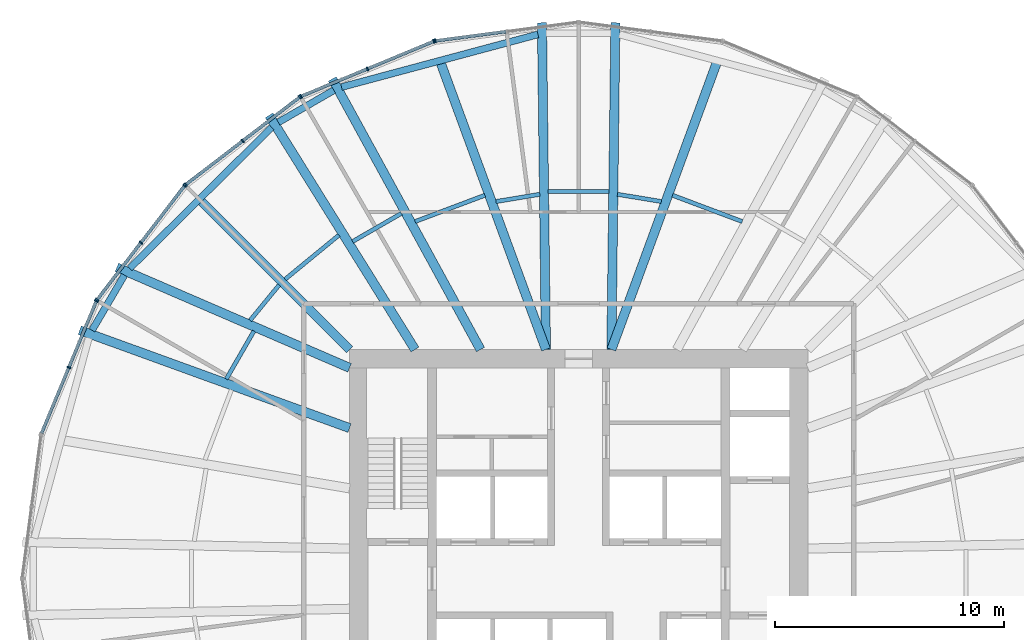
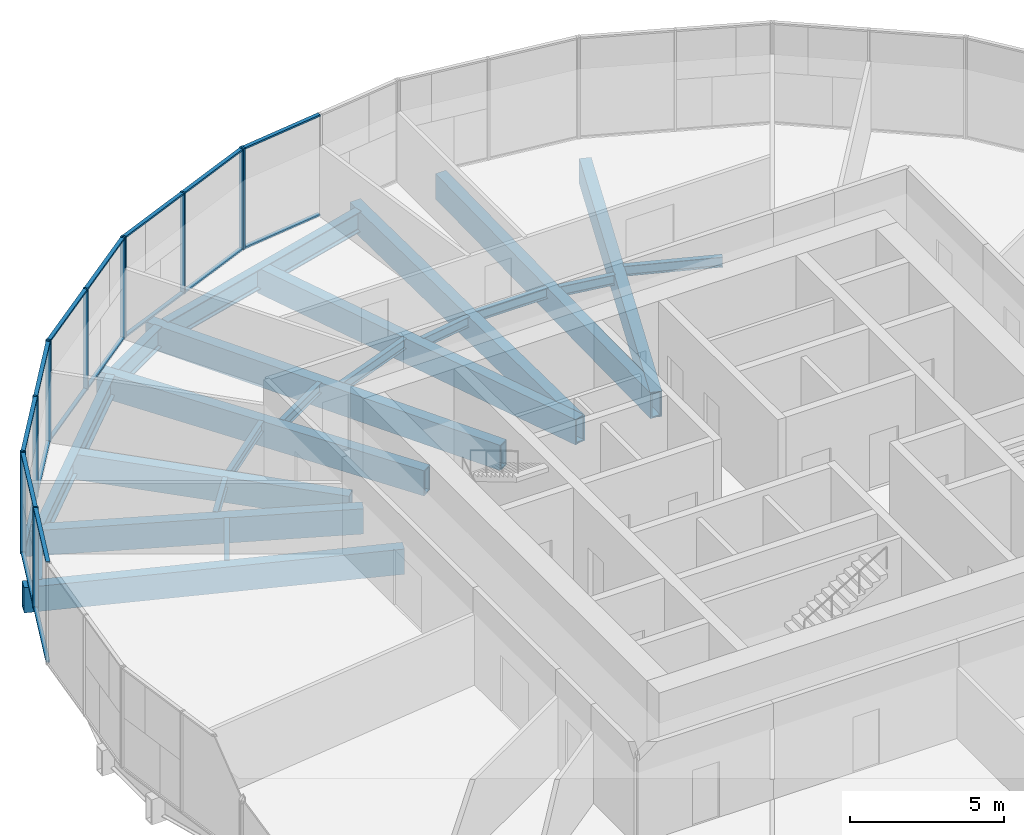
# One storey, part 6 of 13: 30 members, 22 beams, 5 elements without a shape of their own.
"""IFC4 building model written with IfcOpenShell, lengths in metres."""

from ifc_helpers import new_model, si_unit, direction, frame, origin, origin_2d, place, context, subcontext, project, spatial, rectangle, hollow_rectangle, i_section, extrude, material, material_profile, profile_set, type_object, element, aggregate, save


model = new_model("IFC4")

# Units and contexts
model_context = context("Model", 3, precision=1e-05, world=origin(), true_north=direction((0.0, 1.0)))
body_context = subcontext(model_context, "Body", "Model", "MODEL_VIEW")
ifc_project = project(units=[si_unit("LENGTHUNIT", "METRE"), si_unit("AREAUNIT", "SQUARE_METRE"), si_unit("VOLUMEUNIT", "CUBIC_METRE"), si_unit("PLANEANGLEUNIT", "RADIAN"), si_unit("MASSUNIT", "GRAM", prefix="KILO")], contexts=[model_context])

# Site, building, storey
site_placement = place(None, origin())
site = spatial("IfcSite", under=ifc_project, at=site_placement, CompositionType="ELEMENT")
building_placement = place(site_placement, origin())
building = spatial("IfcBuilding", under=site, at=building_placement, Name="Golbaran Civic Tower", CompositionType="ELEMENT")
storey_placement = place(building_placement, frame((0.0, 0.0, 81.0)))
storey = spatial("IfcBuildingStorey", under=building, at=storey_placement, Name="L19", CompositionType="ELEMENT", Elevation=81.0)

# Beams
ifc_material_1 = material(Name="Steel S355", Category="steel")
ifc_material_profile_1 = material_profile(ifc_material_1, i_section(OverallWidth=0.300048828125, OverallDepth=0.800048828125, WebThickness=0.017578125, FlangeThickness=0.032958984375, FilletRadius=0.030029296875, at=origin_2d()), Name="HEB 800")
ifc_profile_set_1 = profile_set([ifc_material_profile_1], Name="Steel S355")
beam_type_1 = type_object("IfcBeamType", Name="EDGE BEAM HEB 800", PredefinedType="BEAM", material=ifc_profile_set_1)
beam_1_placement = place(storey_placement, frame((-1.7763671875, 23.75048828125, -0.60009765625), z_axis=(-0.965861810463, -0.259057837344, 0.0), x_axis=(0.259057837344, -0.965861810463, 0.0)))
element("IfcBeam", 1, at=beam_1_placement, inside=storey, type_object=beam_type_1, Name="Edge beam 93.70 L19", PredefinedType="BEAM", context=body_context, shape_type="SweptSolid", body=[
    extrude(i_section(OverallWidth=0.300048828125, OverallDepth=0.800048828125, WebThickness=0.017578125, FlangeThickness=0.032958984375, FilletRadius=0.030029296875, at=origin_2d()), origin(), (0.0, 0.0, 1.0), 8.874755859375),
])
beam_2_placement = place(storey_placement, frame((-10.68310546875, 21.3134765625, -0.60009765625), z_axis=(-0.866130378223, -0.499818134844, 0.0), x_axis=(0.499818134844, -0.866130378223, 0.0)))
element("IfcBeam", 2, at=beam_2_placement, inside=storey, type_object=beam_type_1, Name="Edge beam 116.30 L19", PredefinedType="BEAM", context=body_context, shape_type="SweptSolid", body=[
    extrude(i_section(OverallWidth=0.300048828125, OverallDepth=0.800048828125, WebThickness=0.017578125, FlangeThickness=0.032958984375, FilletRadius=0.030029296875, at=origin_2d()), origin(), (0.0, 0.0, 1.0), 2.7978515625),
])
beam_3_placement = place(storey_placement, frame((-13.3935546875, 19.695068359375, -0.60009765625), z_axis=(-0.70960352002, -0.704601195269, 0.0), x_axis=(0.704601195269, -0.70960352002, 0.0)))
element("IfcBeam", 3, at=beam_3_placement, inside=storey, type_object=beam_type_1, Name="Edge beam 123.70 L19", PredefinedType="BEAM", context=body_context, shape_type="SweptSolid", body=[
    extrude(i_section(OverallWidth=0.300048828125, OverallDepth=0.800048828125, WebThickness=0.017578125, FlangeThickness=0.032958984375, FilletRadius=0.030029296875, at=origin_2d()), origin(), (0.0, 0.0, 1.0), 8.736083984375),
])
beam_4_placement = place(storey_placement, frame((-19.822021484375, 13.24658203125, -0.60009765625), z_axis=(-0.505995527103, -0.862536101593, 0.0), x_axis=(0.862536101593, -0.505995527103, 0.0)))
element("IfcBeam", 4, at=beam_4_placement, inside=storey, type_object=beam_type_1, Name="Edge beam 146.30 L19", PredefinedType="BEAM", context=body_context, shape_type="SweptSolid", body=[
    extrude(i_section(OverallWidth=0.300048828125, OverallDepth=0.800048828125, WebThickness=0.017578125, FlangeThickness=0.032958984375, FilletRadius=0.030029296875, at=origin_2d()), origin(), (0.0, 0.0, 1.0), 2.791748046875),
])
ifc_material_profile_2 = material_profile(ifc_material_1, i_section(OverallWidth=0.179931640625, OverallDepth=0.39990234375, WebThickness=0.008544921875, FlangeThickness=0.013427734375, FilletRadius=0.02099609375, at=origin_2d()), Name="IPE 400")
ifc_profile_set_2 = profile_set([ifc_material_profile_2], Name="Steel S355")
beam_type_2 = type_object("IfcBeamType", Name="FLOOR INFILL BEAM IPE 400", PredefinedType="BEAM", material=ifc_profile_set_2)
beam_5_placement = place(storey_placement, frame((7.136962890625, 15.58447265625, -0.39990234375), z_axis=(-0.935751282386, 0.352660654897, 0.0), x_axis=(-0.352660654897, -0.935751282386, 0.0)))
element("IfcBeam", 5, at=beam_5_placement, inside=storey, type_object=beam_type_2, Name="Infill beam 69.35 L19", PredefinedType="BEAM", context=body_context, shape_type="SweptSolid", body=[
    extrude(i_section(OverallWidth=0.179931640625, OverallDepth=0.39990234375, WebThickness=0.008544921875, FlangeThickness=0.013427734375, FilletRadius=0.02099609375, at=origin_2d()), origin(), (0.0, 0.0, 1.0), 3.253662109375),
])
beam_6_placement = place(storey_placement, frame((3.60791015625, 16.457275390625, -0.39990234375), z_axis=(-0.986728144037, 0.162380940275, 0.0), x_axis=(-0.162380940275, -0.986728144037, 0.0)))
element("IfcBeam", 6, at=beam_6_placement, inside=storey, type_object=beam_type_2, Name="Infill beam 80.65 L19", PredefinedType="BEAM", context=body_context, shape_type="SweptSolid", body=[
    extrude(i_section(OverallWidth=0.179931640625, OverallDepth=0.39990234375, WebThickness=0.008544921875, FlangeThickness=0.013427734375, FilletRadius=0.02099609375, at=origin_2d()), origin(), (0.0, 0.0, 1.0), 1.942626953125),
])
beam_7_placement = place(storey_placement, frame((1.332763671875, 16.8994140625, -0.39990234375), z_axis=(-1.0, 0.0, 0.0), x_axis=(0.0, -1.0, 0.0)))
element("IfcBeam", 7, at=beam_7_placement, inside=storey, type_object=beam_type_2, Name="Infill beam 90.00 L19", PredefinedType="BEAM", context=body_context, shape_type="SweptSolid", body=[
    extrude(i_section(OverallWidth=0.179931640625, OverallDepth=0.39990234375, WebThickness=0.008544921875, FlangeThickness=0.013427734375, FilletRadius=0.02099609375, at=origin_2d()), origin(), (0.0, 0.0, 1.0), 2.66552734375),
])
beam_8_placement = place(storey_placement, frame((-1.691162109375, 16.772705078125, -0.39990234375), z_axis=(-0.986728144037, -0.162380940275, 0.0), x_axis=(0.162380940275, -0.986728144037, 0.0)))
element("IfcBeam", 8, at=beam_8_placement, inside=storey, type_object=beam_type_2, Name="Infill beam 99.35 L19", PredefinedType="BEAM", context=body_context, shape_type="SweptSolid", body=[
    extrude(i_section(OverallWidth=0.179931640625, OverallDepth=0.39990234375, WebThickness=0.008544921875, FlangeThickness=0.013427734375, FilletRadius=0.02099609375, at=origin_2d()), origin(), (0.0, 0.0, 1.0), 1.942626953125),
])
beam_9_placement = place(storey_placement, frame((-4.09228515625, 16.73193359375, -0.39990234375), z_axis=(-0.935751282386, -0.352660654897, 0.0), x_axis=(0.352660654897, -0.935751282386, 0.0)))
element("IfcBeam", 9, at=beam_9_placement, inside=storey, type_object=beam_type_2, Name="Infill beam 110.65 L19", PredefinedType="BEAM", context=body_context, shape_type="SweptSolid", body=[
    extrude(i_section(OverallWidth=0.179931640625, OverallDepth=0.39990234375, WebThickness=0.008544921875, FlangeThickness=0.013427734375, FilletRadius=0.02099609375, at=origin_2d()), origin(), (0.0, 0.0, 1.0), 3.253662109375),
])
beam_10_placement = place(storey_placement, frame((-7.740966796875, 15.938232421875, -0.39990234375), z_axis=(-0.866029801145, -0.49999238347, 0.0), x_axis=(0.49999238347, -0.866029801145, 0.0)))
element("IfcBeam", 10, at=beam_10_placement, inside=storey, type_object=beam_type_2, Name="Infill beam 120.00 L19", PredefinedType="BEAM", context=body_context, shape_type="SweptSolid", body=[
    extrude(i_section(OverallWidth=0.179931640625, OverallDepth=0.39990234375, WebThickness=0.008544921875, FlangeThickness=0.013427734375, FilletRadius=0.02099609375, at=origin_2d()), origin(), (0.0, 0.0, 1.0), 2.453125),
])
beam_11_placement = place(storey_placement, frame((-10.462646484375, 14.98974609375, -0.39990234375), z_axis=(-0.773311950951, -0.634025730169, 0.0), x_axis=(0.634025730169, -0.773311950951, 0.0)))
element("IfcBeam", 11, at=beam_11_placement, inside=storey, type_object=beam_type_2, Name="Infill beam 129.35 L19", PredefinedType="BEAM", context=body_context, shape_type="SweptSolid", body=[
    extrude(i_section(OverallWidth=0.179931640625, OverallDepth=0.39990234375, WebThickness=0.008544921875, FlangeThickness=0.013427734375, FilletRadius=0.02099609375, at=origin_2d()), origin(), (0.0, 0.0, 1.0), 3.035888671875),
])
beam_12_placement = place(storey_placement, frame((-13.07080078125, 12.816162109375, -0.39990234375), z_axis=(-0.634002188449, -0.77333125182, 0.0), x_axis=(0.77333125182, -0.634002188449, 0.0)))
element("IfcBeam", 12, at=beam_12_placement, inside=storey, type_object=beam_type_2, Name="Infill beam 140.65 L19", PredefinedType="BEAM", context=body_context, shape_type="SweptSolid", body=[
    extrude(i_section(OverallWidth=0.179931640625, OverallDepth=0.39990234375, WebThickness=0.008544921875, FlangeThickness=0.013427734375, FilletRadius=0.02099609375, at=origin_2d()), origin(), (0.0, 0.0, 1.0), 1.999267578125),
])
beam_13_placement = place(storey_placement, frame((-14.169677734375, 10.804931640625, -0.39990234375), z_axis=(-0.500031663174, -0.866007122271, 0.0), x_axis=(0.866007122271, -0.500031663174, 0.0)))
element("IfcBeam", 13, at=beam_13_placement, inside=storey, type_object=beam_type_2, Name="Infill beam 150.00 L19", PredefinedType="BEAM", context=body_context, shape_type="SweptSolid", body=[
    extrude(i_section(OverallWidth=0.179931640625, OverallDepth=0.39990234375, WebThickness=0.008544921875, FlangeThickness=0.013427734375, FilletRadius=0.02099609375, at=origin_2d()), origin(), (0.0, 0.0, 1.0), 2.414794921875),
])

# Curtain wall, member
ifc_material_2 = material(Name="Aluminium and glass", Category="aluminium")
curtain_wall_type = type_object("IfcCurtainWallType", Name="INNER SKIN CURTAIN WALL", PredefinedType="NOTDEFINED", material=ifc_material_2)
curtain_wall_1_placement = place(storey_placement, origin())
curtain_wall_1 = element("IfcCurtainWall", 14, at=curtain_wall_1_placement, inside=storey, type_object=curtain_wall_type, Name="Inner skin L19 facet 7 CW1", ObjectType="INNER SKIN", PredefinedType="USERDEFINED")
ifc_material_3 = material(Name="Aluminium", Category="aluminium")
ifc_material_profile_3 = material_profile(ifc_material_3, rectangle(XDim=0.179931640625, YDim=0.06494140625, at=origin_2d()), Name="INNER SKIN CURTAIN WALL MULLION")
ifc_profile_set_3 = profile_set([ifc_material_profile_3], Name="Aluminium")
member_type_1 = type_object("IfcMemberType", Name="INNER SKIN CURTAIN WALL MULLION", PredefinedType="MULLION", material=ifc_profile_set_3)
member_1_placement = place(storey_placement, frame((-6.25439453125, 23.466552734375, 0.0), z_axis=(0.0, 0.0, 1.0), x_axis=(0.130526192151, -0.991444861383, 0.0)))
member_1 = element("IfcMember", 15, at=member_1_placement, type_object=member_type_1, Name="CW1 mullion 3", PredefinedType="MULLION", context=body_context, shape_type="SweptSolid", body=[
    extrude(rectangle(XDim=0.179931640625, YDim=0.06494140625, at=origin_2d()), origin(), (0.0, 0.0, 1.0), 4.0),
])

# Curtain wall, members
curtain_wall_2_placement = place(storey_placement, origin())
curtain_wall_2 = element("IfcCurtainWall", 16, at=curtain_wall_2_placement, inside=storey, type_object=curtain_wall_type, Name="Inner skin L19 facet 8 CW1", ObjectType="INNER SKIN", PredefinedType="USERDEFINED")
member_2_placement = place(storey_placement, frame((-6.316650390625, 23.449951171875, 0.0), z_axis=(0.0, 0.0, 1.0), x_axis=(0.382683432446, -0.923879532478, 0.0)))
member_2 = element("IfcMember", 17, at=member_2_placement, type_object=member_type_1, Name="CW1 mullion 1", PredefinedType="MULLION", context=body_context, shape_type="SweptSolid", body=[
    extrude(rectangle(XDim=0.179931640625, YDim=0.06494140625, at=origin_2d()), origin(), (0.0, 0.0, 1.0), 4.0),
])
member_3_placement = place(storey_placement, frame((-9.2158203125, 22.2490234375, 0.0), z_axis=(0.0, 0.0, 1.0), x_axis=(0.382683432446, -0.923879532478, 0.0)))
member_3 = element("IfcMember", 18, at=member_3_placement, type_object=member_type_1, Name="CW1 mullion 2", PredefinedType="MULLION", context=body_context, shape_type="SweptSolid", body=[
    extrude(rectangle(XDim=0.179931640625, YDim=0.06494140625, at=origin_2d()), origin(), (0.0, 0.0, 1.0), 4.0),
])
member_4_placement = place(storey_placement, frame((-12.114990234375, 21.048095703125, 0.0), z_axis=(0.0, 0.0, 1.0), x_axis=(0.382683432446, -0.923879532478, 0.0)))
member_4 = element("IfcMember", 19, at=member_4_placement, type_object=member_type_1, Name="CW1 mullion 3", PredefinedType="MULLION", context=body_context, shape_type="SweptSolid", body=[
    extrude(rectangle(XDim=0.179931640625, YDim=0.06494140625, at=origin_2d()), origin(), (0.0, 0.0, 1.0), 4.0),
])

curtain_wall_3_placement = place(storey_placement, origin())
curtain_wall_3 = element("IfcCurtainWall", 20, at=curtain_wall_3_placement, inside=storey, type_object=curtain_wall_type, Name="Inner skin L19 facet 9 CW1", ObjectType="INNER SKIN", PredefinedType="USERDEFINED")
member_5_placement = place(storey_placement, frame((-12.1708984375, 21.015869140625, 0.0), z_axis=(0.0, 0.0, 1.0), x_axis=(0.608761429023, -0.793353340281, 0.0)))
member_5 = element("IfcMember", 21, at=member_5_placement, type_object=member_type_1, Name="CW1 mullion 1", PredefinedType="MULLION", context=body_context, shape_type="SweptSolid", body=[
    extrude(rectangle(XDim=0.179931640625, YDim=0.06494140625, at=origin_2d()), origin(), (0.0, 0.0, 1.0), 4.0),
])
member_6_placement = place(storey_placement, frame((-14.660400390625, 19.105712890625, 0.0), z_axis=(0.0, 0.0, 1.0), x_axis=(0.608761429023, -0.793353340281, 0.0)))
member_6 = element("IfcMember", 22, at=member_6_placement, type_object=member_type_1, Name="CW1 mullion 2", PredefinedType="MULLION", context=body_context, shape_type="SweptSolid", body=[
    extrude(rectangle(XDim=0.179931640625, YDim=0.06494140625, at=origin_2d()), origin(), (0.0, 0.0, 1.0), 4.0),
])
member_7_placement = place(storey_placement, frame((-17.14990234375, 17.1953125, 0.0), z_axis=(0.0, 0.0, 1.0), x_axis=(0.608761429023, -0.793353340281, 0.0)))
member_7 = element("IfcMember", 23, at=member_7_placement, type_object=member_type_1, Name="CW1 mullion 3", PredefinedType="MULLION", context=body_context, shape_type="SweptSolid", body=[
    extrude(rectangle(XDim=0.179931640625, YDim=0.06494140625, at=origin_2d()), origin(), (0.0, 0.0, 1.0), 4.0),
])

curtain_wall_4_placement = place(storey_placement, origin())
curtain_wall_4 = element("IfcCurtainWall", 24, at=curtain_wall_4_placement, inside=storey, type_object=curtain_wall_type, Name="Inner skin L19 facet 10 CW1", ObjectType="INNER SKIN", PredefinedType="USERDEFINED")
member_8_placement = place(storey_placement, frame((-17.1953125, 17.14990234375, 0.0), z_axis=(0.0, 0.0, 1.0), x_axis=(0.793353340281, -0.608761429023, 0.0)))
member_8 = element("IfcMember", 25, at=member_8_placement, type_object=member_type_1, Name="CW1 mullion 1", PredefinedType="MULLION", context=body_context, shape_type="SweptSolid", body=[
    extrude(rectangle(XDim=0.179931640625, YDim=0.06494140625, at=origin_2d()), origin(), (0.0, 0.0, 1.0), 4.0),
])
member_9_placement = place(storey_placement, frame((-19.105712890625, 14.660400390625, 0.0), z_axis=(0.0, 0.0, 1.0), x_axis=(0.793353340281, -0.608761429023, 0.0)))
member_9 = element("IfcMember", 26, at=member_9_placement, type_object=member_type_1, Name="CW1 mullion 2", PredefinedType="MULLION", context=body_context, shape_type="SweptSolid", body=[
    extrude(rectangle(XDim=0.179931640625, YDim=0.06494140625, at=origin_2d()), origin(), (0.0, 0.0, 1.0), 4.0),
])
member_10_placement = place(storey_placement, frame((-21.015869140625, 12.1708984375, 0.0), z_axis=(0.0, 0.0, 1.0), x_axis=(0.793353340281, -0.608761429023, 0.0)))
member_10 = element("IfcMember", 27, at=member_10_placement, type_object=member_type_1, Name="CW1 mullion 3", PredefinedType="MULLION", context=body_context, shape_type="SweptSolid", body=[
    extrude(rectangle(XDim=0.179931640625, YDim=0.06494140625, at=origin_2d()), origin(), (0.0, 0.0, 1.0), 4.0),
])

curtain_wall_5_placement = place(storey_placement, origin())
curtain_wall_5 = element("IfcCurtainWall", 28, at=curtain_wall_5_placement, inside=storey, type_object=curtain_wall_type, Name="Inner skin L19 facet 11 CW1", ObjectType="INNER SKIN", PredefinedType="USERDEFINED")
member_11_placement = place(storey_placement, frame((-21.048095703125, 12.114990234375, 0.0), z_axis=(0.0, 0.0, 1.0), x_axis=(0.923879532478, -0.382683432446, 0.0)))
member_11 = element("IfcMember", 29, at=member_11_placement, type_object=member_type_1, Name="CW1 mullion 1", PredefinedType="MULLION", context=body_context, shape_type="SweptSolid", body=[
    extrude(rectangle(XDim=0.179931640625, YDim=0.06494140625, at=origin_2d()), origin(), (0.0, 0.0, 1.0), 4.0),
])
member_12_placement = place(storey_placement, frame((-22.2490234375, 9.2158203125, 0.0), z_axis=(0.0, 0.0, 1.0), x_axis=(0.923879532478, -0.382683432446, 0.0)))
member_12 = element("IfcMember", 30, at=member_12_placement, type_object=member_type_1, Name="CW1 mullion 2", PredefinedType="MULLION", context=body_context, shape_type="SweptSolid", body=[
    extrude(rectangle(XDim=0.179931640625, YDim=0.06494140625, at=origin_2d()), origin(), (0.0, 0.0, 1.0), 4.0),
])

# Member
ifc_material_profile_4 = material_profile(ifc_material_3, rectangle(XDim=0.139892578125, YDim=0.06494140625, at=origin_2d()), Name="INNER SKIN CURTAIN WALL TRANSOM")
ifc_profile_set_4 = profile_set([ifc_material_profile_4], Name="Aluminium")
member_type_2 = type_object("IfcMemberType", Name="INNER SKIN CURTAIN WALL TRANSOM", PredefinedType="USERDEFINED", material=ifc_profile_set_4)
member_13_placement = place(storey_placement, frame((-3.175537109375, 23.871826171875, 0.032470703125), z_axis=(-0.991443745979, -0.130534664207, 0.0), x_axis=(0.130534664207, -0.991443745979, 0.0)))
member_13 = element("IfcMember", 31, at=member_13_placement, type_object=member_type_2, Name="CW1 transom 2.1", ObjectType="TRANSOM", PredefinedType="USERDEFINED", context=body_context, shape_type="SweptSolid", body=[
    extrude(rectangle(XDim=0.139892578125, YDim=0.06494140625, at=origin_2d()), origin(), (0.0, 0.0, 1.0), 3.072998046875),
])

member_14_placement = place(storey_placement, frame((-3.175537109375, 23.871826171875, 3.967529296875), z_axis=(-0.991443745979, -0.130534664207, 0.0), x_axis=(0.130534664207, -0.991443745979, 0.0)))
member_14 = element("IfcMember", 32, at=member_14_placement, type_object=member_type_2, Name="CW1 transom 2.2", ObjectType="TRANSOM", PredefinedType="USERDEFINED", context=body_context, shape_type="SweptSolid", body=[
    extrude(rectangle(XDim=0.139892578125, YDim=0.06494140625, at=origin_2d()), origin(), (0.0, 0.0, 1.0), 3.072998046875),
])

aggregate(curtain_wall_1, [member_1, member_13, member_14])

member_15_placement = place(storey_placement, frame((-6.3466796875, 23.4375, 0.032470703125), z_axis=(-0.923876429189, -0.382690924362, 0.0), x_axis=(0.382690924362, -0.923876429189, 0.0)))
member_15 = element("IfcMember", 33, at=member_15_placement, type_object=member_type_2, Name="CW1 transom 1.1", ObjectType="TRANSOM", PredefinedType="USERDEFINED", context=body_context, shape_type="SweptSolid", body=[
    extrude(rectangle(XDim=0.139892578125, YDim=0.06494140625, at=origin_2d()), origin(), (0.0, 0.0, 1.0), 3.072998046875),
])

member_16_placement = place(storey_placement, frame((-6.3466796875, 23.4375, 3.967529296875), z_axis=(-0.923876429189, -0.382690924362, 0.0), x_axis=(0.382690924362, -0.923876429189, 0.0)))
member_16 = element("IfcMember", 34, at=member_16_placement, type_object=member_type_2, Name="CW1 transom 1.2", ObjectType="TRANSOM", PredefinedType="USERDEFINED", context=body_context, shape_type="SweptSolid", body=[
    extrude(rectangle(XDim=0.139892578125, YDim=0.06494140625, at=origin_2d()), origin(), (0.0, 0.0, 1.0), 3.072998046875),
])

member_17_placement = place(storey_placement, frame((-9.245849609375, 22.236572265625, 0.032470703125), z_axis=(-0.923876429189, -0.382690924362, 0.0), x_axis=(0.382690924362, -0.923876429189, 0.0)))
member_17 = element("IfcMember", 35, at=member_17_placement, type_object=member_type_2, Name="CW1 transom 2.1", ObjectType="TRANSOM", PredefinedType="USERDEFINED", context=body_context, shape_type="SweptSolid", body=[
    extrude(rectangle(XDim=0.139892578125, YDim=0.06494140625, at=origin_2d()), origin(), (0.0, 0.0, 1.0), 3.072998046875),
])

member_18_placement = place(storey_placement, frame((-9.245849609375, 22.236572265625, 3.967529296875), z_axis=(-0.923876429189, -0.382690924362, 0.0), x_axis=(0.382690924362, -0.923876429189, 0.0)))
member_18 = element("IfcMember", 36, at=member_18_placement, type_object=member_type_2, Name="CW1 transom 2.2", ObjectType="TRANSOM", PredefinedType="USERDEFINED", context=body_context, shape_type="SweptSolid", body=[
    extrude(rectangle(XDim=0.139892578125, YDim=0.06494140625, at=origin_2d()), origin(), (0.0, 0.0, 1.0), 3.072998046875),
])

aggregate(curtain_wall_2, [member_2, member_3, member_4, member_15, member_16, member_17, member_18])

member_19_placement = place(storey_placement, frame((-12.196533203125, 20.99609375, 0.032470703125), z_axis=(-0.793373572809, -0.608735060571, 0.0), x_axis=(0.608735060571, -0.793373572809, 0.0)))
member_19 = element("IfcMember", 37, at=member_19_placement, type_object=member_type_2, Name="CW1 transom 1.1", ObjectType="TRANSOM", PredefinedType="USERDEFINED", context=body_context, shape_type="SweptSolid", body=[
    extrude(rectangle(XDim=0.139892578125, YDim=0.06494140625, at=origin_2d()), origin(), (0.0, 0.0, 1.0), 3.072998046875),
])

member_20_placement = place(storey_placement, frame((-12.196533203125, 20.99609375, 3.967529296875), z_axis=(-0.793373572809, -0.608735060571, 0.0), x_axis=(0.608735060571, -0.793373572809, 0.0)))
member_20 = element("IfcMember", 38, at=member_20_placement, type_object=member_type_2, Name="CW1 transom 1.2", ObjectType="TRANSOM", PredefinedType="USERDEFINED", context=body_context, shape_type="SweptSolid", body=[
    extrude(rectangle(XDim=0.139892578125, YDim=0.06494140625, at=origin_2d()), origin(), (0.0, 0.0, 1.0), 3.072998046875),
])

member_21_placement = place(storey_placement, frame((-14.68603515625, 19.0859375, 0.032470703125), z_axis=(-0.793335203052, -0.60878506519, 0.0), x_axis=(0.60878506519, -0.793335203052, 0.0)))
member_21 = element("IfcMember", 39, at=member_21_placement, type_object=member_type_2, Name="CW1 transom 2.1", ObjectType="TRANSOM", PredefinedType="USERDEFINED", context=body_context, shape_type="SweptSolid", body=[
    extrude(rectangle(XDim=0.139892578125, YDim=0.06494140625, at=origin_2d()), origin(), (0.0, 0.0, 1.0), 3.072998046875),
])

member_22_placement = place(storey_placement, frame((-14.68603515625, 19.0859375, 3.967529296875), z_axis=(-0.793335203052, -0.60878506519, 0.0), x_axis=(0.60878506519, -0.793335203052, 0.0)))
member_22 = element("IfcMember", 40, at=member_22_placement, type_object=member_type_2, Name="CW1 transom 2.2", ObjectType="TRANSOM", PredefinedType="USERDEFINED", context=body_context, shape_type="SweptSolid", body=[
    extrude(rectangle(XDim=0.139892578125, YDim=0.06494140625, at=origin_2d()), origin(), (0.0, 0.0, 1.0), 3.072998046875),
])

aggregate(curtain_wall_3, [member_5, member_6, member_7, member_19, member_20, member_21, member_22])

member_23_placement = place(storey_placement, frame((-17.215087890625, 17.1240234375, 0.032470703125), z_axis=(-0.60878506519, -0.793335203052, 0.0), x_axis=(0.793335203052, -0.60878506519, 0.0)))
member_23 = element("IfcMember", 41, at=member_23_placement, type_object=member_type_2, Name="CW1 transom 1.1", ObjectType="TRANSOM", PredefinedType="USERDEFINED", context=body_context, shape_type="SweptSolid", body=[
    extrude(rectangle(XDim=0.139892578125, YDim=0.06494140625, at=origin_2d()), origin(), (0.0, 0.0, 1.0), 3.072998046875),
])

member_24_placement = place(storey_placement, frame((-17.215087890625, 17.1240234375, 3.967529296875), z_axis=(-0.60878506519, -0.793335203052, 0.0), x_axis=(0.793335203052, -0.60878506519, 0.0)))
member_24 = element("IfcMember", 42, at=member_24_placement, type_object=member_type_2, Name="CW1 transom 1.2", ObjectType="TRANSOM", PredefinedType="USERDEFINED", context=body_context, shape_type="SweptSolid", body=[
    extrude(rectangle(XDim=0.139892578125, YDim=0.06494140625, at=origin_2d()), origin(), (0.0, 0.0, 1.0), 3.072998046875),
])

member_25_placement = place(storey_placement, frame((-19.12548828125, 14.634521484375, 0.032470703125), z_axis=(-0.608735060571, -0.793373572809, 0.0), x_axis=(0.793373572809, -0.608735060571, 0.0)))
member_25 = element("IfcMember", 43, at=member_25_placement, type_object=member_type_2, Name="CW1 transom 2.1", ObjectType="TRANSOM", PredefinedType="USERDEFINED", context=body_context, shape_type="SweptSolid", body=[
    extrude(rectangle(XDim=0.139892578125, YDim=0.06494140625, at=origin_2d()), origin(), (0.0, 0.0, 1.0), 3.072998046875),
])

member_26_placement = place(storey_placement, frame((-19.12548828125, 14.634521484375, 3.967529296875), z_axis=(-0.608735060571, -0.793373572809, 0.0), x_axis=(0.793373572809, -0.608735060571, 0.0)))
member_26 = element("IfcMember", 44, at=member_26_placement, type_object=member_type_2, Name="CW1 transom 2.2", ObjectType="TRANSOM", PredefinedType="USERDEFINED", context=body_context, shape_type="SweptSolid", body=[
    extrude(rectangle(XDim=0.139892578125, YDim=0.06494140625, at=origin_2d()), origin(), (0.0, 0.0, 1.0), 3.072998046875),
])

aggregate(curtain_wall_4, [member_8, member_9, member_10, member_23, member_24, member_25, member_26])

member_27_placement = place(storey_placement, frame((-21.060546875, 12.0849609375, 0.032470703125), z_axis=(-0.382690924362, -0.923876429189, 0.0), x_axis=(0.923876429189, -0.382690924362, 0.0)))
member_27 = element("IfcMember", 45, at=member_27_placement, type_object=member_type_2, Name="CW1 transom 1.1", ObjectType="TRANSOM", PredefinedType="USERDEFINED", context=body_context, shape_type="SweptSolid", body=[
    extrude(rectangle(XDim=0.139892578125, YDim=0.06494140625, at=origin_2d()), origin(), (0.0, 0.0, 1.0), 3.072998046875),
])

member_28_placement = place(storey_placement, frame((-21.060546875, 12.0849609375, 3.967529296875), z_axis=(-0.382690924362, -0.923876429189, 0.0), x_axis=(0.923876429189, -0.382690924362, 0.0)))
member_28 = element("IfcMember", 46, at=member_28_placement, type_object=member_type_2, Name="CW1 transom 1.2", ObjectType="TRANSOM", PredefinedType="USERDEFINED", context=body_context, shape_type="SweptSolid", body=[
    extrude(rectangle(XDim=0.139892578125, YDim=0.06494140625, at=origin_2d()), origin(), (0.0, 0.0, 1.0), 3.072998046875),
])

member_29_placement = place(storey_placement, frame((-22.261474609375, 9.185791015625, 0.032470703125), z_axis=(-0.382690924362, -0.923876429189, 0.0), x_axis=(0.923876429189, -0.382690924362, 0.0)))
member_29 = element("IfcMember", 47, at=member_29_placement, type_object=member_type_2, Name="CW1 transom 2.1", ObjectType="TRANSOM", PredefinedType="USERDEFINED", context=body_context, shape_type="SweptSolid", body=[
    extrude(rectangle(XDim=0.139892578125, YDim=0.06494140625, at=origin_2d()), origin(), (0.0, 0.0, 1.0), 3.072998046875),
])

member_30_placement = place(storey_placement, frame((-22.261474609375, 9.185791015625, 3.967529296875), z_axis=(-0.382690924362, -0.923876429189, 0.0), x_axis=(0.923876429189, -0.382690924362, 0.0)))
member_30 = element("IfcMember", 48, at=member_30_placement, type_object=member_type_2, Name="CW1 transom 2.2", ObjectType="TRANSOM", PredefinedType="USERDEFINED", context=body_context, shape_type="SweptSolid", body=[
    extrude(rectangle(XDim=0.139892578125, YDim=0.06494140625, at=origin_2d()), origin(), (0.0, 0.0, 1.0), 3.072998046875),
])

aggregate(curtain_wall_5, [member_11, member_12, member_27, member_28, member_29, member_30])

# Beams
ifc_material_profile_5 = material_profile(ifc_material_1, hollow_rectangle(XDim=0.39990234375, YDim=1.0, WallThickness=0.050048828125, at=origin_2d()), Name="BOX 1000x400x50")
ifc_profile_set_5 = profile_set([ifc_material_profile_5], Name="Steel S355")
beam_type_3 = type_object("IfcBeamType", Name="RADIAL FLOOR BEAM BOX 1000x400x50", PredefinedType="BEAM", material=ifc_profile_set_5)
for number, where, z_axis, x_axis, name in (
    (49, (1.428466796875, 10.0, -0.7099609375), (0.012206322448, 0.999925500071, 0.0), (-0.999925500071, 0.012206322448, 0.0), "Radial beam 86.30 L19"),
    (50, (-1.428466796875, 10.0, -0.7099609375), (-0.012206322448, 0.999925500071, 0.0), (-0.999925500071, -0.012206322448, 0.0), "Radial beam 93.70 L19"),
):
    element("IfcBeam", number, at=place(storey_placement, frame(where, z_axis=z_axis, x_axis=x_axis)), inside=storey, type_object=beam_type_3, Name=name, PredefinedType="BEAM", context=body_context, shape_type="SweptSolid", body=[
        extrude(hollow_rectangle(XDim=0.39990234375, YDim=1.0, WallThickness=0.050048828125, at=origin_2d()), origin(), (0.0, 0.0, 1.0), 14.2607421875),
    ])
beam_14_placement = place(storey_placement, frame((-4.28564453125, 10.0, -0.7099609375), z_axis=(-0.480115960165, 0.877205030078, 0.0), x_axis=(-0.877205030078, -0.480115960165, 0.0)))
element("IfcBeam", 51, at=beam_14_placement, inside=storey, type_object=beam_type_3, Name="Radial beam 116.30 L19", PredefinedType="BEAM", context=body_context, shape_type="SweptSolid", body=[
    extrude(hollow_rectangle(XDim=0.39990234375, YDim=1.0, WallThickness=0.050048828125, at=origin_2d()), origin(), (0.0, 0.0, 1.0), 13.461669921875),
])
beam_15_placement = place(storey_placement, frame((-7.142822265625, 10.0, -0.7099609375), z_axis=(-0.528687505514, 0.848816541729, 0.0), x_axis=(-0.848816541729, -0.528687505514, 0.0)))
element("IfcBeam", 52, at=beam_15_placement, inside=storey, type_object=beam_type_3, Name="Radial beam 123.70 L19", PredefinedType="BEAM", context=body_context, shape_type="SweptSolid", body=[
    extrude(hollow_rectangle(XDim=0.39990234375, YDim=1.0, WallThickness=0.050048828125, at=origin_2d()), origin(), (0.0, 0.0, 1.0), 12.037353515625),
])
beam_16_placement = place(storey_placement, frame((-10.0, 9.199951171875, -0.7099609375), z_axis=(-0.918014134051, 0.396547663821, 0.0), x_axis=(-0.396547663821, -0.918014134051, 0.0)))
element("IfcBeam", 53, at=beam_16_placement, inside=storey, type_object=beam_type_3, Name="Radial beam 146.30 L19", PredefinedType="BEAM", context=body_context, shape_type="SweptSolid", body=[
    extrude(hollow_rectangle(XDim=0.39990234375, YDim=1.0, WallThickness=0.050048828125, at=origin_2d()), origin(), (0.0, 0.0, 1.0), 11.057861328125),
])
beam_17_placement = place(storey_placement, frame((-10.0, 6.571533203125, -0.7099609375), z_axis=(-0.940054931233, 0.34102305826, 0.0), x_axis=(-0.34102305826, -0.940054931233, 0.0)))
element("IfcBeam", 54, at=beam_17_placement, inside=storey, type_object=beam_type_3, Name="Radial beam 153.70 L19", PredefinedType="BEAM", context=body_context, shape_type="SweptSolid", body=[
    extrude(hollow_rectangle(XDim=0.39990234375, YDim=1.0, WallThickness=0.050048828125, at=origin_2d()), origin(), (0.0, 0.0, 1.0), 12.525390625),
])
ifc_material_profile_6 = material_profile(ifc_material_1, hollow_rectangle(XDim=0.39990234375, YDim=1.0, WallThickness=0.0400390625, at=origin_2d()), Name="BOX 1000x400x40")
ifc_profile_set_6 = profile_set([ifc_material_profile_6], Name="Steel S355")
beam_type_4 = type_object("IfcBeamType", Name="SECONDARY FLOOR BEAM BOX 1000x400x40", PredefinedType="BEAM", material=ifc_profile_set_6)
for number, where, z_axis, x_axis, name in (
    (55, (1.428466796875, 10.0, -0.7099609375), (0.344714129969, 0.938707712017, 0.0), (-0.938707712017, 0.344714129969, 0.0), "Secondary beam 75.00 L19"),
    (56, (-1.428466796875, 10.0, -0.7099609375), (-0.344714129969, 0.938707712017, 0.0), (-0.938707712017, -0.344714129969, 0.0), "Secondary beam 105.00 L19"),
):
    element("IfcBeam", number, at=place(storey_placement, frame(where, z_axis=z_axis, x_axis=x_axis)), inside=storey, type_object=beam_type_4, Name=name, PredefinedType="BEAM", context=body_context, shape_type="SweptSolid", body=[
        extrude(hollow_rectangle(XDim=0.39990234375, YDim=1.0, WallThickness=0.0400390625, at=origin_2d()), origin(), (0.0, 0.0, 1.0), 13.42529296875),
    ])
beam_18_placement = place(storey_placement, frame((-10.0, 10.0, -0.7099609375), z_axis=(-0.707106781187, 0.707106781187, 0.0), x_axis=(-0.707106781187, -0.707106781187, 0.0)))
element("IfcBeam", 57, at=beam_18_placement, inside=storey, type_object=beam_type_4, Name="Secondary beam 135.00 L19", PredefinedType="BEAM", context=body_context, shape_type="SweptSolid", body=[
    extrude(hollow_rectangle(XDim=0.39990234375, YDim=1.0, WallThickness=0.0400390625, at=origin_2d()), origin(), (0.0, 0.0, 1.0), 9.270751953125),
])

save(model, "model.ifc")
